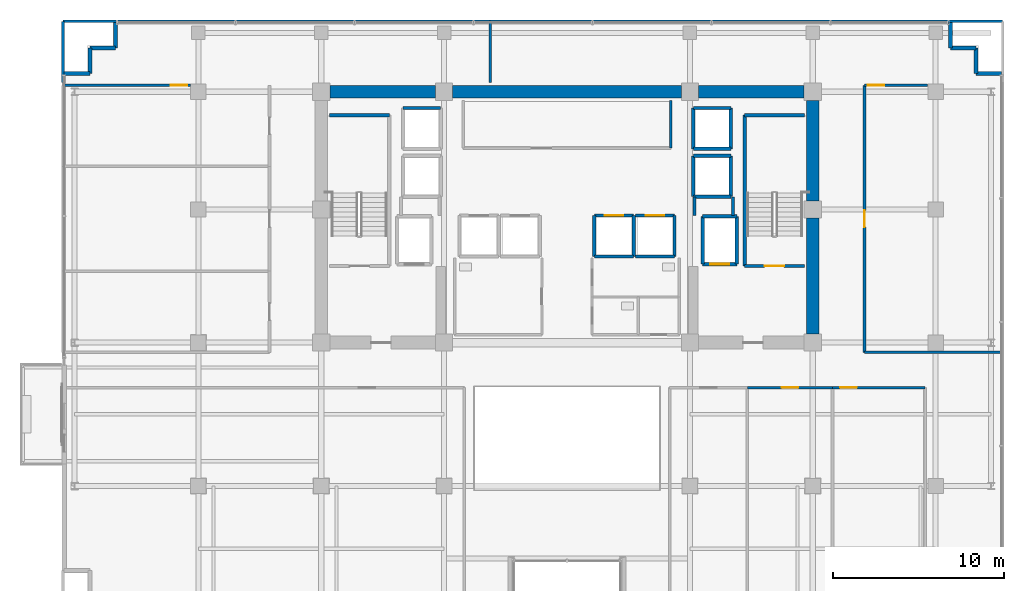
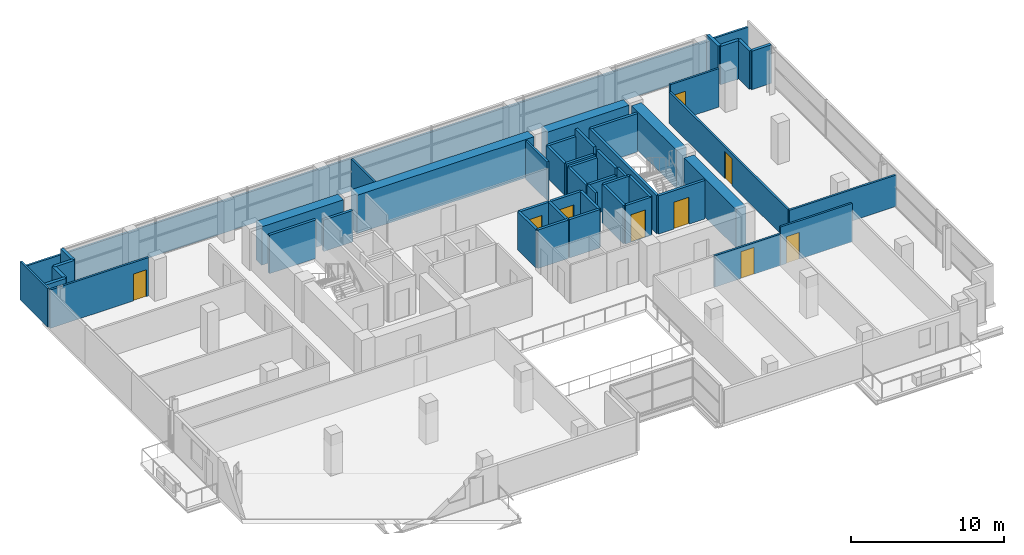
# One storey, part 22 of 28: 50 walls, 9 doors, 9 openings.
"""IFC4 building model written with IfcOpenShell, lengths in metres."""

from ifc_helpers import new_model, si_unit, direction, frame, frame_2d, origin, place, context, subcontext, project, spatial, rectangle, extrude, source, transform, mapped, material, layer, layer_set, type_object, element, fill, save


model = new_model("IFC4")

# Units and contexts
model_context = context("Model", 3, precision=1e-05, world=origin(), true_north=direction((0.0, 1.0)))
body_context = subcontext(model_context, "Body", "Model", "MODEL_VIEW")
ifc_project = project(units=[si_unit("LENGTHUNIT", "METRE"), si_unit("AREAUNIT", "SQUARE_METRE"), si_unit("VOLUMEUNIT", "CUBIC_METRE"), si_unit("PLANEANGLEUNIT", "RADIAN"), si_unit("MASSUNIT", "GRAM", prefix="KILO")], contexts=[model_context])

# Site, building, storey
site_placement = place(None, origin())
site = spatial("IfcSite", under=ifc_project, at=site_placement, CompositionType="ELEMENT")
building_placement = place(site_placement, origin())
building = spatial("IfcBuilding", under=site, at=building_placement, Name="Zarnakvel Exchange Tower", CompositionType="ELEMENT")
storey_placement = place(building_placement, frame((0.0, 0.0, 109.89990234375)))
storey = spatial("IfcBuildingStorey", under=building, at=storey_placement, Name="L30", CompositionType="ELEMENT", Elevation=109.89990234375)

# Walls
ifc_material_1 = material(Name="Concrete C60/75", Category="concrete")
ifc_layer_1 = layer(ifc_material_1, 0.75)
ifc_layer_set_1 = layer_set([ifc_layer_1], Name="Concrete C60/75")
wall_type_1 = type_object("IfcWallType", Name="CW-C3", PredefinedType="SHEAR", material=ifc_layer_set_1)
wall_1_placement = place(storey_placement, frame((-13.89990234375, 13.5, 0.0), z_axis=(0.0, 0.0, 1.0), x_axis=(1.0, 0.0, 0.0)))
element("IfcWall", 1, at=wall_1_placement, inside=storey, type_object=wall_type_1, Name="L30 Rear Core Shear Wall N1 (CW-C3)", PredefinedType="SHEAR", context=body_context, shape_type="SweptSolid", body=[
    extrude(rectangle(XDim=6.199951171875, YDim=0.75, at=frame_2d((3.10009765625, 0.0))), origin(), (0.0, 0.0, 1.0), 3.0751953125),
])
wall_2_placement = place(storey_placement, frame((-6.699951171875, 13.5, 0.0), z_axis=(0.0, 0.0, 1.0), x_axis=(1.0, 0.0, 0.0)))
element("IfcWall", 2, at=wall_2_placement, inside=storey, type_object=wall_type_1, Name="L30 Rear Core Shear Wall N2 (CW-C3)", PredefinedType="SHEAR", context=body_context, shape_type="SweptSolid", body=[
    extrude(rectangle(XDim=13.39990234375, YDim=0.75, at=frame_2d((6.699951171875, 0.0))), origin(), (0.0, 0.0, 1.0), 3.0751953125),
])
wall_3_placement = place(storey_placement, frame((7.699951171875, 13.5, 0.0), z_axis=(0.0, 0.0, 1.0), x_axis=(1.0, 0.0, 0.0)))
element("IfcWall", 3, at=wall_3_placement, inside=storey, type_object=wall_type_1, Name="L30 Rear Core Shear Wall N3 (CW-C3)", PredefinedType="SHEAR", context=body_context, shape_type="SweptSolid", body=[
    extrude(rectangle(XDim=6.199951171875, YDim=0.75, at=frame_2d((3.10009765625, 0.0))), origin(), (0.0, 0.0, 1.0), 3.0751953125),
])
wall_4_placement = place(storey_placement, frame((14.39990234375, -0.699951171875, 0.0), z_axis=(0.0, 0.0, 1.0), x_axis=(0.0, 1.0, 0.0)))
element("IfcWall", 4, at=wall_4_placement, inside=storey, type_object=wall_type_1, Name="L30 Rear Core Shear Wall E1 (CW-C3)", PredefinedType="SHEAR", context=body_context, shape_type="SweptSolid", body=[
    extrude(rectangle(XDim=6.800048828125, YDim=0.75, at=frame_2d((3.39990234375, 0.0))), origin(), (0.0, 0.0, 1.0), 3.0751953125),
])
wall_5_placement = place(storey_placement, frame((14.39990234375, 7.10009765625, 0.0), z_axis=(0.0, 0.0, 1.0), x_axis=(0.0, 1.0, 0.0)))
element("IfcWall", 5, at=wall_5_placement, inside=storey, type_object=wall_type_1, Name="L30 Rear Core Shear Wall E2 (CW-C3)", PredefinedType="SHEAR", context=body_context, shape_type="SweptSolid", body=[
    extrude(rectangle(XDim=5.89990234375, YDim=0.75, at=frame_2d((2.949951171875, 0.0))), origin(), (0.0, 0.0, 1.0), 3.0751953125),
])
ifc_material_2 = material(Name="Precast concrete C40/50", Category="concrete")
ifc_layer_2 = layer(ifc_material_2, 0.239990234375)
ifc_layer_set_2 = layer_set([ifc_layer_2], Name="Precast concrete C40/50")
wall_type_2 = type_object("IfcWallType", Name="EW-02", PredefinedType="SOLIDWALL", material=ifc_layer_set_2)
for number, where, z_axis, x_axis, name in (
    (6, (-27.9599609375, 14.56005859375, 0.0), (0.0, 0.0, 1.0), (-1.0, 0.0, 0.0), "L30 Exterior Precast Spandrel Wall EWC-L30-03 (EW-02)"),
    (7, (-27.9599609375, 16.06005859375, 0.0), (0.0, 0.0, 1.0), (0.0, -1.0, 0.0), "L30 Exterior Precast Spandrel Wall EWC-L30-04 (EW-02)"),
    (8, (-26.4599609375, 16.06005859375, 0.0), (0.0, 0.0, 1.0), (-1.0, 0.0, 0.0), "L30 Exterior Precast Spandrel Wall EWC-L30-05 (EW-02)"),
    (9, (-26.4599609375, 17.56005859375, 0.0), (0.0, 0.0, 1.0), (0.0, -1.0, 0.0), "L30 Exterior Precast Spandrel Wall EWC-L30-06 (EW-02)"),
    (10, (22.4599609375, 16.06005859375, 0.0), (0.0, 0.0, 1.0), (0.0, 1.0, 0.0), "L30 Exterior Precast Spandrel Wall EWC-L30-07 (EW-02)"),
    (11, (23.9599609375, 16.06005859375, 0.0), (0.0, 0.0, 1.0), (-1.0, 0.0, 0.0), "L30 Exterior Precast Spandrel Wall EWC-L30-08 (EW-02)"),
    (12, (23.9599609375, 14.56005859375, 0.0), (0.0, 0.0, 1.0), (0.0, 1.0, 0.0), "L30 Exterior Precast Spandrel Wall EWC-L30-09 (EW-02)"),
    (13, (25.4599609375, 14.56005859375, 0.0), (0.0, 0.0, 1.0), (-1.0, 0.0, 0.0), "L30 Exterior Precast Spandrel Wall EWC-L30-10 (EW-02)"),
):
    element("IfcWall", number, at=place(storey_placement, frame(where, z_axis=z_axis, x_axis=x_axis)), inside=storey, type_object=wall_type_2, Name=name, PredefinedType="SOLIDWALL", context=body_context, shape_type="SweptSolid", body=[
        extrude(rectangle(XDim=1.5, YDim=0.239990234375, at=frame_2d((0.75, 0.0))), origin(), (0.0, 0.0, 1.0), 3.0751953125),
    ])
ifc_material_3 = material(Name="Fire-Rated Gypsum Stud Partition", Category="gypsum")
ifc_layer_3 = layer(ifc_material_3, 0.14990234375)
ifc_layer_set_3 = layer_set([ifc_layer_3], Name="Fire-Rated Gypsum Stud Partition")
wall_type_3 = type_object("IfcWallType", Name="PT-01", PredefinedType="PARTITIONING", material=ifc_layer_set_3)
wall_6_placement = place(storey_placement, frame((6.080078125, 13.0, 0.0), z_axis=(0.0, 0.0, 1.0), x_axis=(0.0, -1.0, 0.0)))
element("IfcWall", 14, at=wall_6_placement, inside=storey, type_object=wall_type_3, Name="L30 Partition Wall PWALL-L30-013 (PT-01)", PredefinedType="PARTITIONING", context=body_context, shape_type="SweptSolid", body=[
    extrude(rectangle(XDim=2.800048828125, YDim=0.14990234375, at=frame_2d((1.39990234375, 0.0))), origin(), (0.0, 0.0, 1.0), 3.0751953125),
])

# Wall, opening, door
wall_7_placement = place(storey_placement, frame((10.568359375, -3.830078125, 0.0), z_axis=(0.0, 0.0, 1.0), x_axis=(1.0, 0.0, 0.0)))
wall_7 = element("IfcWall", 15, at=wall_7_placement, inside=storey, type_object=wall_type_3, Name="L30 Partition Wall PWALL-L30-034 (PT-01)", PredefinedType="PARTITIONING", context=body_context, shape_type="SweptSolid", body=[
    extrude(rectangle(XDim=4.9873046875, YDim=0.14990234375, at=frame_2d((2.49365234375, 0.0))), origin(), (0.0, 0.0, 1.0), 2.51513671875),
])
opening_1_placement = place(wall_7_placement, frame((2.003662109375, 0.0, 0.0)))
opening_1 = element("IfcOpeningElement", 16, at=opening_1_placement, cuts=wall_7, Name="Opening D-L30-12", PredefinedType="OPENING", context=body_context, shape_type="SweptSolid", body=[
    extrude(rectangle(XDim=0.97998046875, YDim=2.14990234375, at=frame_2d((0.489990234375, 1.074951171875))), frame((0.0, 0.0849609375, 0.0), z_axis=(0.0, -1.0, 0.0), x_axis=(1.0, 0.0, 0.0)), (0.0, 0.0, 1.0), 0.169921875),
])
ifc_material_4 = material(Name="Timber Acoustic Veneer", Category="wood")
door_type_1 = type_object("IfcDoorType", Name="DT-05", OperationType="NOTDEFINED", PredefinedType="DOOR", material=ifc_material_4)
shared_shape_1 = source(origin(), body_context, "Body", "SweptSolid", [
    extrude(rectangle(XDim=0.97998046875, YDim=2.14990234375, at=frame_2d((0.489990234375, 1.074951171875))), frame((0.0, 0.02490234375, 0.0), z_axis=(0.0, -1.0, 0.0), x_axis=(1.0, 0.0, 0.0)), (0.0, 0.0, 1.0), 0.050048828125),
])
door_1_placement = place(opening_1_placement, origin())
door_1 = element("IfcDoor", 17, at=door_1_placement, inside=storey, type_object=door_type_1, Name="L30 Executive Suite Door D-L30-12", OperationType="SINGLE_SWING_LEFT", OverallHeight=2.14990234375, OverallWidth=0.97998046875, PredefinedType="DOOR", context=body_context, shape_type="MappedRepresentation", body=[
    mapped(shared_shape_1, transform((0.0, 0.0, 0.0), x_axis=(1.0, 0.0, 0.0), y_axis=(0.0, 1.0, 0.0), z_axis=(0.0, 0.0, 1.0), scale=1.0)),
])
fill(opening_1, door_1)

wall_8_placement = place(storey_placement, frame((15.5556640625, -3.830078125, 0.0), z_axis=(0.0, 0.0, 1.0), x_axis=(1.0, 0.0, 0.0)))
wall_8 = element("IfcWall", 18, at=wall_8_placement, inside=storey, type_object=wall_type_3, Name="L30 Partition Wall PWALL-L30-037 (PT-01)", PredefinedType="PARTITIONING", context=body_context, shape_type="SweptSolid", body=[
    extrude(rectangle(XDim=5.426025390625, YDim=0.14990234375, at=frame_2d((2.712890625, 0.0))), origin(), (0.0, 0.0, 1.0), 3.0751953125),
])
opening_2_placement = place(wall_8_placement, frame((0.447509765625, 0.0, 0.0)))
opening_2 = element("IfcOpeningElement", 19, at=opening_2_placement, cuts=wall_8, Name="Opening D-L30-13", PredefinedType="OPENING", context=body_context, shape_type="SweptSolid", body=[
    extrude(rectangle(XDim=0.97998046875, YDim=2.14990234375, at=frame_2d((0.489990234375, 1.074951171875))), frame((0.0, 0.0849609375, 0.0), z_axis=(0.0, -1.0, 0.0), x_axis=(1.0, 0.0, 0.0)), (0.0, 0.0, 1.0), 0.169921875),
])
door_2_placement = place(opening_2_placement, origin())
door_2 = element("IfcDoor", 20, at=door_2_placement, inside=storey, type_object=door_type_1, Name="L30 Staff Pantry Door D-L30-13", OperationType="SINGLE_SWING_RIGHT", OverallHeight=2.14990234375, OverallWidth=0.97998046875, PredefinedType="DOOR", context=body_context, shape_type="MappedRepresentation", body=[
    mapped(shared_shape_1, transform((0.0, 0.0, 0.0), x_axis=(1.0, 0.0, 0.0), y_axis=(0.0, 1.0, 0.0), z_axis=(0.0, 0.0, 1.0), scale=1.0)),
])
fill(opening_2, door_2)

wall_9_placement = place(storey_placement, frame((-29.530029296875, 13.8798828125, 0.0), z_axis=(0.0, 0.0, 1.0), x_axis=(1.0, 0.0, 0.0)))
wall_9 = element("IfcWall", 21, at=wall_9_placement, inside=storey, type_object=wall_type_3, Name="L30 Partition Wall PWALL-L30-046 (PT-01)", PredefinedType="PARTITIONING", context=body_context, shape_type="SweptSolid", body=[
    extrude(rectangle(XDim=7.4599609375, YDim=0.14990234375, at=frame_2d((3.72998046875, 0.0))), origin(), (0.0, 0.0, 1.0), 3.0751953125),
])
opening_3_placement = place(wall_9_placement, frame((6.300048828125, 0.0, 0.0)))
opening_3 = element("IfcOpeningElement", 22, at=opening_3_placement, cuts=wall_9, Name="Opening D-L30-18", PredefinedType="OPENING", context=body_context, shape_type="SweptSolid", body=[
    extrude(rectangle(XDim=0.97998046875, YDim=2.14990234375, at=frame_2d((0.489990234375, 1.074951171875))), frame((0.0, 0.0849609375, 0.0), z_axis=(0.0, -1.0, 0.0), x_axis=(1.0, 0.0, 0.0)), (0.0, 0.0, 1.0), 0.169921875),
])
door_3_placement = place(opening_3_placement, origin())
door_3 = element("IfcDoor", 23, at=door_3_placement, inside=storey, type_object=door_type_1, Name="L30 Compliance Office Door D-L30-18", OperationType="SINGLE_SWING_LEFT", OverallHeight=2.14990234375, OverallWidth=0.97998046875, PredefinedType="DOOR", context=body_context, shape_type="MappedRepresentation", body=[
    mapped(shared_shape_1, transform((0.0, 0.0, 0.0), x_axis=(1.0, 0.0, 0.0), y_axis=(0.0, 1.0, 0.0), z_axis=(0.0, 0.0, 1.0), scale=1.0)),
])
fill(opening_3, door_3)

# Wall
wall_10_placement = place(storey_placement, frame((25.530029296875, -1.77001953125, 0.0), z_axis=(0.0, 0.0, 1.0), x_axis=(-1.0, 0.0, 0.0)))
element("IfcWall", 24, at=wall_10_placement, inside=storey, type_object=wall_type_3, Name="L30 Partition Wall PWALL-L30-049 (PT-01)", PredefinedType="PARTITIONING", context=body_context, shape_type="SweptSolid", body=[
    extrude(rectangle(XDim=8.10009765625, YDim=0.14990234375, at=frame_2d((4.050048828125, 0.0))), origin(), (0.0, 0.0, 1.0), 2.51513671875),
])

# Wall, opening, door
wall_11_placement = place(storey_placement, frame((17.429931640625, 13.8798828125, 0.0), z_axis=(0.0, 0.0, 1.0), x_axis=(1.0, 0.0, 0.0)))
wall_11 = element("IfcWall", 25, at=wall_11_placement, inside=storey, type_object=wall_type_3, Name="L30 Partition Wall PWALL-L30-050 (PT-01)", PredefinedType="PARTITIONING", context=body_context, shape_type="SweptSolid", body=[
    extrude(rectangle(XDim=3.699951171875, YDim=0.14990234375, at=frame_2d((1.85009765625, 0.0))), origin(), (0.0, 0.0, 1.0), 3.0751953125),
])
opening_4_placement = place(wall_11_placement, frame((0.179931640625, 0.0, 0.0)))
opening_4 = element("IfcOpeningElement", 26, at=opening_4_placement, cuts=wall_11, Name="Opening D-L30-19", PredefinedType="OPENING", context=body_context, shape_type="SweptSolid", body=[
    extrude(rectangle(XDim=0.97998046875, YDim=2.14990234375, at=frame_2d((0.489990234375, 1.074951171875))), frame((0.0, 0.0849609375, 0.0), z_axis=(0.0, -1.0, 0.0), x_axis=(1.0, 0.0, 0.0)), (0.0, 0.0, 1.0), 0.169921875),
])
door_4_placement = place(opening_4_placement, origin())
door_4 = element("IfcDoor", 27, at=door_4_placement, inside=storey, type_object=door_type_1, Name="L30 Client Lounge Door D-L30-19", OperationType="SINGLE_SWING_RIGHT", OverallHeight=2.14990234375, OverallWidth=0.97998046875, PredefinedType="DOOR", context=body_context, shape_type="MappedRepresentation", body=[
    mapped(shared_shape_1, transform((0.0, 0.0, 0.0), x_axis=(1.0, 0.0, 0.0), y_axis=(0.0, 1.0, 0.0), z_axis=(0.0, 0.0, 1.0), scale=1.0)),
])
fill(opening_4, door_4)

wall_12_placement = place(storey_placement, frame((17.429931640625, -1.77001953125, 0.0), z_axis=(0.0, 0.0, 1.0), x_axis=(0.0, 1.0, 0.0)))
wall_12 = element("IfcWall", 28, at=wall_12_placement, inside=storey, type_object=wall_type_3, Name="L30 Partition Wall PWALL-L30-051 (PT-01)", PredefinedType="PARTITIONING", context=body_context, shape_type="SweptSolid", body=[
    extrude(rectangle(XDim=15.64990234375, YDim=0.14990234375, at=frame_2d((7.824951171875, 0.0))), origin(), (0.0, 0.0, 1.0), 2.51513671875),
])
opening_5_placement = place(wall_12_placement, frame((7.3349609375, 0.0, 0.0)))
opening_5 = element("IfcOpeningElement", 29, at=opening_5_placement, cuts=wall_12, Name="Opening D-L30-17", PredefinedType="OPENING", context=body_context, shape_type="SweptSolid", body=[
    extrude(rectangle(XDim=0.97998046875, YDim=2.14990234375, at=frame_2d((0.489990234375, 1.074951171875))), frame((0.0, 0.0849609375, 0.0), z_axis=(0.0, -1.0, 0.0), x_axis=(1.0, 0.0, 0.0)), (0.0, 0.0, 1.0), 0.169921875),
])
door_5_placement = place(opening_5_placement, origin())
door_5 = element("IfcDoor", 30, at=door_5_placement, inside=storey, type_object=door_type_1, Name="L30 Staff Pantry Door D-L30-17", OperationType="SINGLE_SWING_RIGHT", OverallHeight=2.14990234375, OverallWidth=0.97998046875, PredefinedType="DOOR", context=body_context, shape_type="MappedRepresentation", body=[
    mapped(shared_shape_1, transform((0.0, 0.0, 0.0), x_axis=(1.0, 0.0, 0.0), y_axis=(0.0, 1.0, 0.0), z_axis=(0.0, 0.0, 1.0), scale=1.0)),
])
fill(opening_5, door_5)

# Walls
wall_13_placement = place(storey_placement, frame((-29.530029296875, 17.6298828125, 0.0), z_axis=(0.0, 0.0, 1.0), x_axis=(1.0, 0.0, 0.0)))
element("IfcWall", 31, at=wall_13_placement, inside=storey, type_object=wall_type_3, Name="L30 Partition Wall PWALL-L30-052 (PT-01)", PredefinedType="PARTITIONING", context=body_context, shape_type="SweptSolid", body=[
    extrude(rectangle(XDim=25.030029296875, YDim=0.14990234375, at=frame_2d((12.51513671875, 0.0))), origin(), (0.0, 0.0, 1.0), 2.590087890625),
])
wall_14_placement = place(storey_placement, frame((-29.530029296875, 14.030029296875, 0.0), z_axis=(0.0, 0.0, 1.0), x_axis=(0.0, 1.0, 0.0)))
element("IfcWall", 32, at=wall_14_placement, inside=storey, type_object=wall_type_3, Name="L30 Partition Wall PWALL-L30-053 (PT-01)", PredefinedType="PARTITIONING", context=body_context, shape_type="SweptSolid", body=[
    extrude(rectangle(XDim=3.599853515625, YDim=0.14990234375, at=frame_2d((1.7998046875, 0.0))), origin(), (0.0, 0.0, 1.0), 3.0751953125),
])
wall_15_placement = place(storey_placement, frame((-4.5, 17.6298828125, 0.0), z_axis=(0.0, 0.0, 1.0), x_axis=(0.0, -1.0, 0.0)))
element("IfcWall", 33, at=wall_15_placement, inside=storey, type_object=wall_type_3, Name="L30 Partition Wall PWALL-L30-054 (PT-01)", PredefinedType="PARTITIONING", context=body_context, shape_type="SweptSolid", body=[
    extrude(rectangle(XDim=3.599853515625, YDim=0.14990234375, at=frame_2d((1.7998046875, 0.0))), origin(), (0.0, 0.0, 1.0), 2.565185546875),
])
wall_16_placement = place(storey_placement, frame((-4.5, 17.6298828125, 0.0), z_axis=(0.0, 0.0, 1.0), x_axis=(1.0, 0.0, 0.0)))
element("IfcWall", 34, at=wall_16_placement, inside=storey, type_object=wall_type_3, Name="L30 Partition Wall PWALL-L30-055 (PT-01)", PredefinedType="PARTITIONING", context=body_context, shape_type="SweptSolid", body=[
    extrude(rectangle(XDim=30.030029296875, YDim=0.14990234375, at=frame_2d((15.01513671875, 0.0))), origin(), (0.0, 0.0, 1.0), 2.590087890625),
])
ifc_layer_4 = layer(ifc_material_3, 0.179931640625)
ifc_layer_set_4 = layer_set([ifc_layer_4], Name="Fire-Rated Gypsum Stud Partition")
wall_type_4 = type_object("IfcWallType", Name="PT-02", PredefinedType="PARTITIONING", material=ifc_layer_set_4)
wall_17_placement = place(storey_placement, frame((7.469970703125, 6.239990234375, 0.0), z_axis=(0.0, 0.0, 1.0), x_axis=(0.0, 1.0, 0.0)))
element("IfcWall", 35, at=wall_17_placement, inside=storey, type_object=wall_type_4, Name="L30 Partition Wall PWALL-L30-009 (PT-02)", PredefinedType="PARTITIONING", context=body_context, shape_type="SweptSolid", body=[
    extrude(rectangle(XDim=1.090087890625, YDim=0.179931640625, at=frame_2d((0.544921875, 0.0))), origin(), (0.0, 0.0, 1.0), 2.51513671875),
])
wall_18_placement = place(storey_placement, frame((9.72998046875, 7.330078125, 0.0), z_axis=(0.0, 0.0, 1.0), x_axis=(0.0, -1.0, 0.0)))
element("IfcWall", 36, at=wall_18_placement, inside=storey, type_object=wall_type_4, Name="L30 Partition Wall PWALL-L30-010 (PT-02)", PredefinedType="PARTITIONING", context=body_context, shape_type="SweptSolid", body=[
    extrude(rectangle(XDim=1.090087890625, YDim=0.179931640625, at=frame_2d((0.544921875, 0.0))), origin(), (0.0, 0.0, 1.0), 3.0751953125),
])

# Wall, opening, door
ifc_material_5 = material(Name="Concrete C40/50", Category="concrete")
ifc_layer_5 = layer(ifc_material_5, 0.199951171875)
ifc_layer_set_5 = layer_set([ifc_layer_5], Name="Concrete C40/50")
wall_type_5 = type_object("IfcWallType", Name="SW-01", PredefinedType="SOLIDWALL", material=ifc_layer_set_5)
wall_19_placement = place(storey_placement, frame((9.949951171875, 3.39990234375, 0.0), z_axis=(0.0, 0.0, 1.0), x_axis=(-1.0, 0.0, 0.0)))
wall_19 = element("IfcWall", 37, at=wall_19_placement, inside=storey, type_object=wall_type_5, Name="L30 FL-02 Hoistway Wall South", PredefinedType="SOLIDWALL", context=body_context, shape_type="SweptSolid", body=[
    extrude(rectangle(XDim=2.0, YDim=0.199951171875, at=frame_2d((1.0, 0.0))), origin(), (0.0, 0.0, 1.0), 3.0751953125),
])
opening_6_placement = place(wall_19_placement, frame((0.449951171875, 0.0, 0.0)))
opening_6 = element("IfcOpeningElement", 38, at=opening_6_placement, cuts=wall_19, Name="Opening LD-FL-02-L30", PredefinedType="OPENING", context=body_context, shape_type="SweptSolid", body=[
    extrude(rectangle(XDim=1.10009765625, YDim=2.199951171875, at=frame_2d((0.550048828125, 1.10009765625))), frame((0.0, 0.10986328125, 0.0), z_axis=(0.0, -1.0, 0.0), x_axis=(1.0, 0.0, 0.0)), (0.0, 0.0, 1.0), 0.219970703125),
])
ifc_material_6 = material(Name="Brushed Stainless Steel", Category="steel")
door_type_2 = type_object("IfcDoorType", Name="LDT-01", OperationType="NOTDEFINED", PredefinedType="DOOR", material=ifc_material_6)
shared_shape_2 = source(origin(), body_context, "Body", "SweptSolid", [
    extrude(rectangle(XDim=1.10009765625, YDim=2.199951171875, at=frame_2d((0.550048828125, 1.10009765625))), frame((0.0, 0.02490234375, 0.0), z_axis=(0.0, -1.0, 0.0), x_axis=(1.0, 0.0, 0.0)), (0.0, 0.0, 1.0), 0.050048828125),
])
door_6_placement = place(opening_6_placement, origin())
door_6 = element("IfcDoor", 39, at=door_6_placement, inside=storey, type_object=door_type_2, Name="L30 FL-02 Lift Landing Door LD-FL-02-L30", OperationType="DOUBLE_DOOR_SLIDING", OverallHeight=2.199951171875, OverallWidth=1.10009765625, PredefinedType="DOOR", context=body_context, shape_type="MappedRepresentation", body=[
    mapped(shared_shape_2, transform((0.0, 0.0, 0.0), x_axis=(1.0, 0.0, 0.0), y_axis=(0.0, 1.0, 0.0), z_axis=(0.0, 0.0, 1.0), scale=1.0)),
])
fill(opening_6, door_6)

# Walls
wall_20_placement = place(storey_placement, frame((7.949951171875, 6.199951171875, 0.0), z_axis=(0.0, 0.0, 1.0), x_axis=(1.0, 0.0, 0.0)))
element("IfcWall", 40, at=wall_20_placement, inside=storey, type_object=wall_type_5, Name="L30 FL-02 Hoistway Wall North", PredefinedType="SOLIDWALL", context=body_context, shape_type="SweptSolid", body=[
    extrude(rectangle(XDim=2.0, YDim=0.199951171875, at=frame_2d((1.0, 0.0))), origin(), (0.0, 0.0, 1.0), 3.0751953125),
])
for number, where, z_axis, x_axis, name in (
    (41, (7.949951171875, 3.39990234375, 0.0), (0.0, 0.0, 1.0), (0.0, 1.0, 0.0), "L30 FL-02 Hoistway Wall West"),
    (42, (9.949951171875, 6.199951171875, 0.0), (0.0, 0.0, 1.0), (0.0, -1.0, 0.0), "L30 FL-02 Hoistway Wall East"),
):
    element("IfcWall", number, at=place(storey_placement, frame(where, z_axis=z_axis, x_axis=x_axis)), inside=storey, type_object=wall_type_5, Name=name, PredefinedType="SOLIDWALL", context=body_context, shape_type="SweptSolid", body=[
        extrude(rectangle(XDim=2.800048828125, YDim=0.199951171875, at=frame_2d((1.39990234375, 0.0))), origin(), (0.0, 0.0, 1.0), 3.0751953125),
    ])
wall_21_placement = place(storey_placement, frame((3.89990234375, 3.85009765625, 0.0), z_axis=(0.0, 0.0, 1.0), x_axis=(-1.0, 0.0, 0.0)))
element("IfcWall", 43, at=wall_21_placement, inside=storey, type_object=wall_type_5, Name="L30 PL-07 Hoistway Wall South", PredefinedType="SOLIDWALL", context=body_context, shape_type="SweptSolid", body=[
    extrude(rectangle(XDim=2.2998046875, YDim=0.199951171875, at=frame_2d((1.14990234375, 0.0))), origin(), (0.0, 0.0, 1.0), 3.0751953125),
])

# Wall, opening, door
wall_22_placement = place(storey_placement, frame((1.60009765625, 6.25, 0.0), z_axis=(0.0, 0.0, 1.0), x_axis=(1.0, 0.0, 0.0)))
wall_22 = element("IfcWall", 44, at=wall_22_placement, inside=storey, type_object=wall_type_5, Name="L30 PL-07 Hoistway Wall North", PredefinedType="SOLIDWALL", context=body_context, shape_type="SweptSolid", body=[
    extrude(rectangle(XDim=2.2998046875, YDim=0.199951171875, at=frame_2d((1.14990234375, 0.0))), origin(), (0.0, 0.0, 1.0), 3.0751953125),
])
opening_7_placement = place(wall_22_placement, frame((0.60009765625, 0.0, 0.0)))
opening_7 = element("IfcOpeningElement", 45, at=opening_7_placement, cuts=wall_22, Name="Opening LD-PL-07-L30", PredefinedType="OPENING", context=body_context, shape_type="SweptSolid", body=[
    extrude(rectangle(XDim=1.10009765625, YDim=2.199951171875, at=frame_2d((0.550048828125, 1.10009765625))), frame((0.0, 0.10986328125, 0.0), z_axis=(0.0, -1.0, 0.0), x_axis=(1.0, 0.0, 0.0)), (0.0, 0.0, 1.0), 0.219970703125),
])
ifc_material_7 = material(Name="Architectural Bronze Anodised Aluminium", Category="aluminium")
door_type_3 = type_object("IfcDoorType", Name="LDT-02", OperationType="NOTDEFINED", PredefinedType="DOOR", material=ifc_material_7)
door_7_placement = place(opening_7_placement, origin())
door_7 = element("IfcDoor", 46, at=door_7_placement, inside=storey, type_object=door_type_3, Name="L30 PL-07 Lift Landing Door LD-PL-07-L30", OperationType="DOUBLE_DOOR_SLIDING", OverallHeight=2.199951171875, OverallWidth=1.10009765625, PredefinedType="DOOR", context=body_context, shape_type="MappedRepresentation", body=[
    mapped(shared_shape_2, transform((0.0, 0.0, 0.0), x_axis=(1.0, 0.0, 0.0), y_axis=(0.0, 1.0, 0.0), z_axis=(0.0, 0.0, 1.0), scale=1.0)),
])
fill(opening_7, door_7)

# Walls
for number, where, z_axis, x_axis, name in (
    (47, (1.60009765625, 3.85009765625, 0.0), (0.0, 0.0, 1.0), (0.0, 1.0, 0.0), "L30 PL-07 Hoistway Wall West"),
    (48, (3.89990234375, 6.25, 0.0), (0.0, 0.0, 1.0), (0.0, -1.0, 0.0), "L30 PL-07 Hoistway Wall East"),
):
    element("IfcWall", number, at=place(storey_placement, frame(where, z_axis=z_axis, x_axis=x_axis)), inside=storey, type_object=wall_type_5, Name=name, PredefinedType="SOLIDWALL", context=body_context, shape_type="SweptSolid", body=[
        extrude(rectangle(XDim=2.39990234375, YDim=0.199951171875, at=frame_2d((1.199951171875, 0.0))), origin(), (0.0, 0.0, 1.0), 3.0751953125),
    ])
wall_23_placement = place(storey_placement, frame((6.300048828125, 3.85009765625, 0.0), z_axis=(0.0, 0.0, 1.0), x_axis=(-1.0, 0.0, 0.0)))
element("IfcWall", 49, at=wall_23_placement, inside=storey, type_object=wall_type_5, Name="L30 PL-08 Hoistway Wall South", PredefinedType="SOLIDWALL", context=body_context, shape_type="SweptSolid", body=[
    extrude(rectangle(XDim=2.300048828125, YDim=0.199951171875, at=frame_2d((1.14990234375, 0.0))), origin(), (0.0, 0.0, 1.0), 3.0751953125),
])

# Wall, opening, door
wall_24_placement = place(storey_placement, frame((4.0, 6.25, 0.0), z_axis=(0.0, 0.0, 1.0), x_axis=(1.0, 0.0, 0.0)))
wall_24 = element("IfcWall", 50, at=wall_24_placement, inside=storey, type_object=wall_type_5, Name="L30 PL-08 Hoistway Wall North", PredefinedType="SOLIDWALL", context=body_context, shape_type="SweptSolid", body=[
    extrude(rectangle(XDim=2.300048828125, YDim=0.199951171875, at=frame_2d((1.14990234375, 0.0))), origin(), (0.0, 0.0, 1.0), 3.0751953125),
])
opening_8_placement = place(wall_24_placement, frame((0.60009765625, 0.0, 0.0)))
opening_8 = element("IfcOpeningElement", 51, at=opening_8_placement, cuts=wall_24, Name="Opening LD-PL-08-L30", PredefinedType="OPENING", context=body_context, shape_type="SweptSolid", body=[
    extrude(rectangle(XDim=1.10009765625, YDim=2.199951171875, at=frame_2d((0.550048828125, 1.10009765625))), frame((0.0, 0.10986328125, 0.0), z_axis=(0.0, -1.0, 0.0), x_axis=(1.0, 0.0, 0.0)), (0.0, 0.0, 1.0), 0.219970703125),
])
door_8_placement = place(opening_8_placement, origin())
door_8 = element("IfcDoor", 52, at=door_8_placement, inside=storey, type_object=door_type_3, Name="L30 PL-08 Lift Landing Door LD-PL-08-L30", OperationType="DOUBLE_DOOR_SLIDING", OverallHeight=2.199951171875, OverallWidth=1.10009765625, PredefinedType="DOOR", context=body_context, shape_type="MappedRepresentation", body=[
    mapped(shared_shape_2, transform((0.0, 0.0, 0.0), x_axis=(1.0, 0.0, 0.0), y_axis=(0.0, 1.0, 0.0), z_axis=(0.0, 0.0, 1.0), scale=1.0)),
])
fill(opening_8, door_8)

# Walls
wall_25_placement = place(storey_placement, frame((6.300048828125, 6.25, 0.0), z_axis=(0.0, 0.0, 1.0), x_axis=(0.0, -1.0, 0.0)))
element("IfcWall", 53, at=wall_25_placement, inside=storey, type_object=wall_type_5, Name="L30 PL-08 Hoistway Wall East", PredefinedType="SOLIDWALL", context=body_context, shape_type="SweptSolid", body=[
    extrude(rectangle(XDim=2.39990234375, YDim=0.199951171875, at=frame_2d((1.199951171875, 0.0))), origin(), (0.0, 0.0, 1.0), 3.0751953125),
])
for number, where, z_axis, x_axis, name in (
    (54, (-9.60009765625, 12.550048828125, 0.0), (0.0, 0.0, 1.0), (1.0, 0.0, 0.0), "L30 PL-10 Hoistway Wall North"),
    (55, (9.60009765625, 7.35009765625, 0.0), (0.0, 0.0, 1.0), (-1.0, 0.0, 0.0), "L30 PL-11 Hoistway Wall South"),
    (56, (7.39990234375, 9.75, 0.0), (0.0, 0.0, 1.0), (1.0, 0.0, 0.0), "L30 PL-11 Hoistway Wall North"),
):
    element("IfcWall", number, at=place(storey_placement, frame(where, z_axis=z_axis, x_axis=x_axis)), inside=storey, type_object=wall_type_5, Name=name, PredefinedType="SOLIDWALL", context=body_context, shape_type="SweptSolid", body=[
        extrude(rectangle(XDim=2.2001953125, YDim=0.199951171875, at=frame_2d((1.10009765625, 0.0))), origin(), (0.0, 0.0, 1.0), 2.51513671875),
    ])
wall_26_placement = place(storey_placement, frame((7.39990234375, 7.35009765625, 0.0), z_axis=(0.0, 0.0, 1.0), x_axis=(0.0, 1.0, 0.0)))
element("IfcWall", 57, at=wall_26_placement, inside=storey, type_object=wall_type_5, Name="L30 PL-11 Hoistway Wall West", PredefinedType="SOLIDWALL", context=body_context, shape_type="SweptSolid", body=[
    extrude(rectangle(XDim=2.39990234375, YDim=0.199951171875, at=frame_2d((1.199951171875, 0.0))), origin(), (0.0, 0.0, 1.0), 2.51513671875),
])
wall_27_placement = place(storey_placement, frame((9.60009765625, 9.75, 0.0), z_axis=(0.0, 0.0, 1.0), x_axis=(0.0, -1.0, 0.0)))
element("IfcWall", 58, at=wall_27_placement, inside=storey, type_object=wall_type_5, Name="L30 PL-11 Hoistway Wall East", PredefinedType="SOLIDWALL", context=body_context, shape_type="SweptSolid", body=[
    extrude(rectangle(XDim=2.39990234375, YDim=0.199951171875, at=frame_2d((1.199951171875, 0.0))), origin(), (0.0, 0.0, 1.0), 3.0751953125),
])
for number, where, z_axis, x_axis, name in (
    (59, (9.60009765625, 10.14990234375, 0.0), (0.0, 0.0, 1.0), (-1.0, 0.0, 0.0), "L30 PL-12 Hoistway Wall South"),
    (60, (7.39990234375, 12.550048828125, 0.0), (0.0, 0.0, 1.0), (1.0, 0.0, 0.0), "L30 PL-12 Hoistway Wall North"),
):
    element("IfcWall", number, at=place(storey_placement, frame(where, z_axis=z_axis, x_axis=x_axis)), inside=storey, type_object=wall_type_5, Name=name, PredefinedType="SOLIDWALL", context=body_context, shape_type="SweptSolid", body=[
        extrude(rectangle(XDim=2.2001953125, YDim=0.199951171875, at=frame_2d((1.10009765625, 0.0))), origin(), (0.0, 0.0, 1.0), 2.51513671875),
    ])
wall_28_placement = place(storey_placement, frame((7.39990234375, 10.14990234375, 0.0), z_axis=(0.0, 0.0, 1.0), x_axis=(0.0, 1.0, 0.0)))
element("IfcWall", 61, at=wall_28_placement, inside=storey, type_object=wall_type_5, Name="L30 PL-12 Hoistway Wall West", PredefinedType="SOLIDWALL", context=body_context, shape_type="SweptSolid", body=[
    extrude(rectangle(XDim=2.400146484375, YDim=0.199951171875, at=frame_2d((1.2001953125, 0.0))), origin(), (0.0, 0.0, 1.0), 2.51513671875),
])
wall_29_placement = place(storey_placement, frame((9.60009765625, 12.550048828125, 0.0), z_axis=(0.0, 0.0, 1.0), x_axis=(0.0, -1.0, 0.0)))
element("IfcWall", 62, at=wall_29_placement, inside=storey, type_object=wall_type_5, Name="L30 PL-12 Hoistway Wall East", PredefinedType="SOLIDWALL", context=body_context, shape_type="SweptSolid", body=[
    extrude(rectangle(XDim=2.400146484375, YDim=0.199951171875, at=frame_2d((1.2001953125, 0.0))), origin(), (0.0, 0.0, 1.0), 3.0751953125),
])
ifc_layer_6 = layer(ifc_material_5, 0.199951171875)
ifc_layer_set_6 = layer_set([ifc_layer_6], Name="Concrete C40/50")
wall_type_6 = type_object("IfcWallType", Name="SW-02", PredefinedType="SOLIDWALL", material=ifc_layer_set_6)
wall_30_placement = place(storey_placement, frame((-13.929931640625, 12.1298828125, 0.0), z_axis=(0.0, 0.0, 1.0), x_axis=(1.0, 0.0, 0.0)))
element("IfcWall", 63, at=wall_30_placement, inside=storey, type_object=wall_type_6, Name="L30 Stairwell Core Wall PWALL-L30-002 (SW-02)", PredefinedType="SOLIDWALL", context=body_context, shape_type="SweptSolid", body=[
    extrude(rectangle(XDim=3.52001953125, YDim=0.199951171875, at=frame_2d((1.760009765625, 0.0))), origin(), (0.0, 0.0, 1.0), 3.0751953125),
])

# Wall, opening, door
wall_31_placement = place(storey_placement, frame((13.929931640625, 3.2900390625, 0.0), z_axis=(0.0, 0.0, 1.0), x_axis=(-1.0, 0.0, 0.0)))
wall_31 = element("IfcWall", 64, at=wall_31_placement, inside=storey, type_object=wall_type_6, Name="L30 Stairwell Core Wall PWALL-L30-004 (SW-02)", PredefinedType="SOLIDWALL", context=body_context, shape_type="SweptSolid", body=[
    extrude(rectangle(XDim=3.52001953125, YDim=0.199951171875, at=frame_2d((1.760009765625, 0.0))), origin(), (0.0, 0.0, 1.0), 3.0751953125),
])
opening_9_placement = place(wall_31_placement, frame((1.205078125, 0.0, 0.0)))
opening_9 = element("IfcOpeningElement", 65, at=opening_9_placement, cuts=wall_31, Name="Opening D-L30-02", PredefinedType="OPENING", context=body_context, shape_type="SweptSolid", body=[
    extrude(rectangle(XDim=1.14990234375, YDim=2.14990234375, at=frame_2d((0.574951171875, 1.074951171875))), frame((0.0, 0.10986328125, 0.0), z_axis=(0.0, -1.0, 0.0), x_axis=(1.0, 0.0, 0.0)), (0.0, 0.0, 1.0), 0.219970703125),
])
ifc_material_8 = material(Name="Painted Galvanised Steel S355", Category="steel")
door_type_4 = type_object("IfcDoorType", Name="DT-04", OperationType="NOTDEFINED", PredefinedType="DOOR", material=ifc_material_8)
shared_shape_3 = source(origin(), body_context, "Body", "SweptSolid", [
    extrude(rectangle(XDim=1.14990234375, YDim=2.14990234375, at=frame_2d((0.574951171875, 1.074951171875))), frame((0.0, 0.02490234375, 0.0), z_axis=(0.0, -1.0, 0.0), x_axis=(1.0, 0.0, 0.0)), (0.0, 0.0, 1.0), 0.050048828125),
])
door_9_placement = place(opening_9_placement, origin())
door_9 = element("IfcDoor", 66, at=door_9_placement, inside=storey, type_object=door_type_4, Name="L30 Stairwell ST-02 Door D-L30-02", OperationType="SINGLE_SWING_LEFT", OverallHeight=2.14990234375, OverallWidth=1.14990234375, PredefinedType="DOOR", context=body_context, shape_type="MappedRepresentation", body=[
    mapped(shared_shape_3, transform((0.0, 0.0, 0.0), x_axis=(1.0, 0.0, 0.0), y_axis=(0.0, 1.0, 0.0), z_axis=(0.0, 0.0, 1.0), scale=1.0)),
])
fill(opening_9, door_9)

# Walls
wall_32_placement = place(storey_placement, frame((10.409912109375, 12.1298828125, 0.0), z_axis=(0.0, 0.0, 1.0), x_axis=(1.0, 0.0, 0.0)))
element("IfcWall", 67, at=wall_32_placement, inside=storey, type_object=wall_type_6, Name="L30 Stairwell Core Wall PWALL-L30-005 (SW-02)", PredefinedType="SOLIDWALL", context=body_context, shape_type="SweptSolid", body=[
    extrude(rectangle(XDim=3.52001953125, YDim=0.199951171875, at=frame_2d((1.760009765625, 0.0))), origin(), (0.0, 0.0, 1.0), 3.0751953125),
])
wall_33_placement = place(storey_placement, frame((10.409912109375, 3.2900390625, 0.0), z_axis=(0.0, 0.0, 1.0), x_axis=(0.0, 1.0, 0.0)))
element("IfcWall", 68, at=wall_33_placement, inside=storey, type_object=wall_type_6, Name="L30 Stairwell Core Wall PWALL-L30-006 (SW-02)", PredefinedType="SOLIDWALL", context=body_context, shape_type="SweptSolid", body=[
    extrude(rectangle(XDim=8.83984375, YDim=0.199951171875, at=frame_2d((4.419921875, 0.0))), origin(), (0.0, 0.0, 1.0), 3.0751953125),
])

save(model, "model.ifc")
